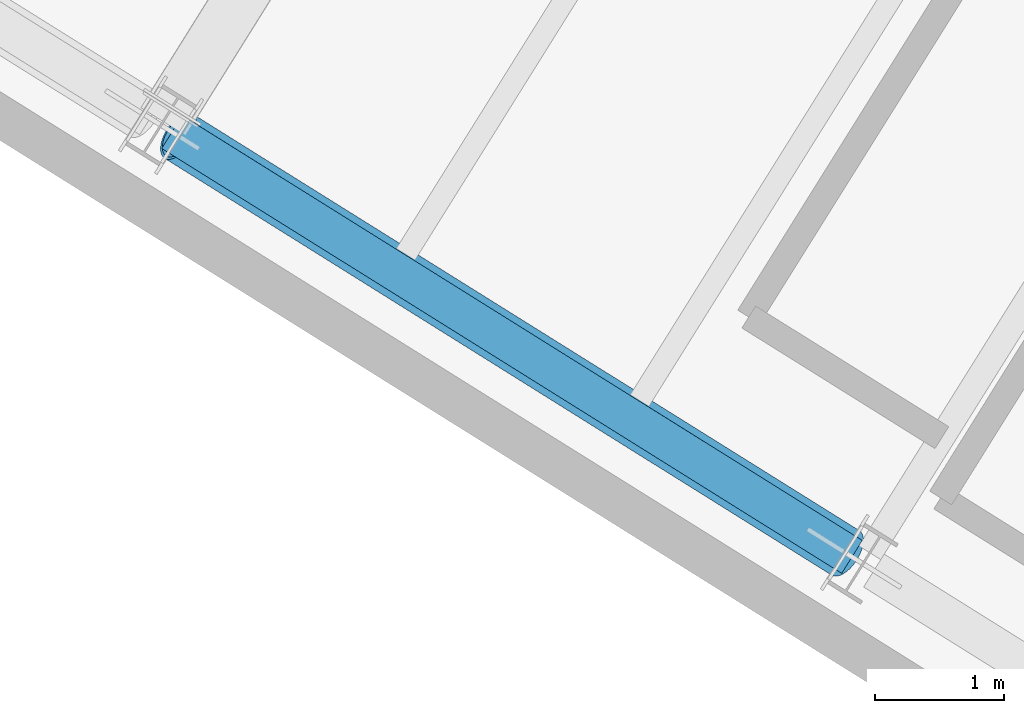
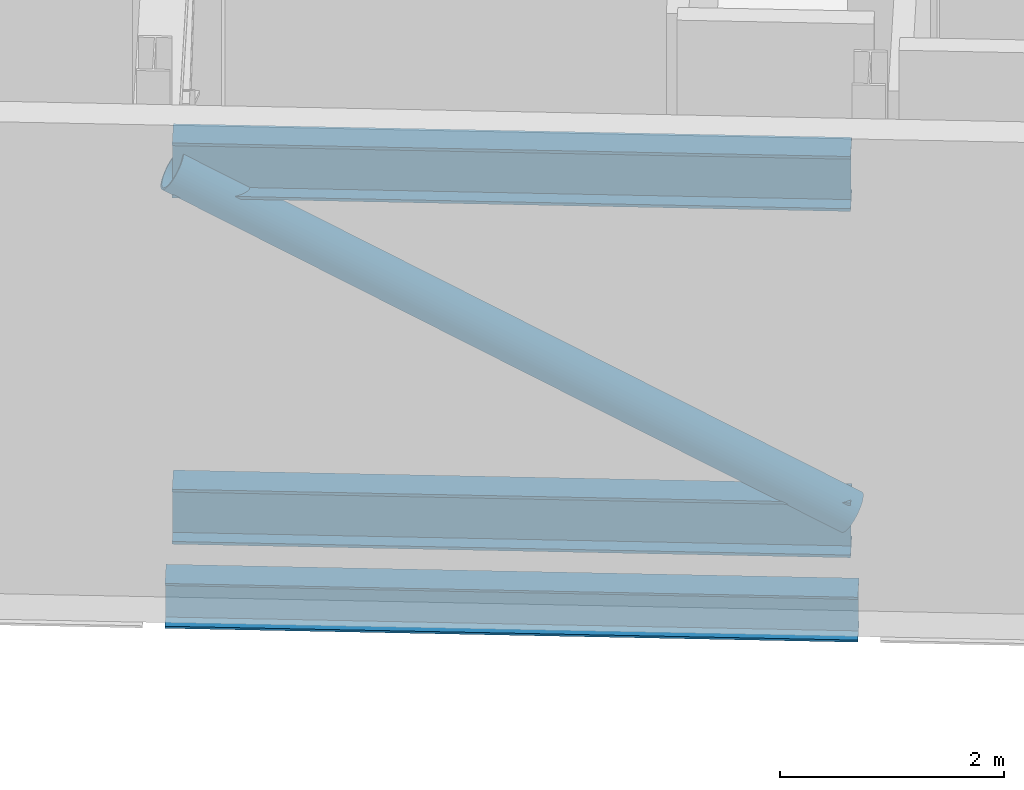
# One storey, part 5 of 30: 3 members, 1 beam.
"""IFC4 building model written with IfcOpenShell, lengths in metres."""

from ifc_helpers import new_model, si_unit, direction, frame, origin, origin_2d, place, context, subcontext, project, spatial, hollow_circle, i_section, extrude, source, transform, mapped, material, material_profile, profile_set, type_object, element, save


model = new_model("IFC4")

# Units and contexts
model_context = context("Model", 3, precision=1e-05, world=origin(), true_north=direction((0.0, 1.0)))
body_context = subcontext(model_context, "Body", "Model", "MODEL_VIEW")
ifc_project = project(units=[si_unit("LENGTHUNIT", "METRE"), si_unit("AREAUNIT", "SQUARE_METRE"), si_unit("VOLUMEUNIT", "CUBIC_METRE"), si_unit("PLANEANGLEUNIT", "RADIAN"), si_unit("MASSUNIT", "GRAM", prefix="KILO")], contexts=[model_context])

# Site, building, storey
site_placement = place(None, origin())
site = spatial("IfcSite", under=ifc_project, at=site_placement, CompositionType="ELEMENT")
building_placement = place(site_placement, origin())
building = spatial("IfcBuilding", under=site, at=building_placement, Name="Tlacorven Tower", CompositionType="ELEMENT")
storey_placement = place(building_placement, frame((0.0, 0.0, 169.5)))
storey = spatial("IfcBuildingStorey", under=building, at=storey_placement, Name="L43", CompositionType="ELEMENT", Elevation=169.5)

# Beam
ifc_material_1 = material(Name="Steel S355J2", Category="steel")
ifc_material_profile_1 = material_profile(ifc_material_1, i_section(OverallWidth=0.300048828125, OverallDepth=0.489990234375, WebThickness=0.011962890625, FlangeThickness=0.02294921875, at=origin_2d()), Name="HEA 500")
ifc_profile_set_1 = profile_set([ifc_material_profile_1], Name="Steel S355J2")
beam_type = type_object("IfcBeamType", Name="BM-SPN-500", PredefinedType="SPANDREL", material=ifc_profile_set_1)
shared_shape_1 = source(origin(), body_context, "Body", "SweptSolid", [
    extrude(i_section(OverallWidth=0.300048828125, OverallDepth=0.489990234375, WebThickness=0.011962890625, FlangeThickness=0.02294921875, at=origin_2d()), origin(), (0.0, 0.0, 1.0), 6.199951171875),
])
beam_placement = place(storey_placement, frame((18.82080078125, 13.6650390625, -0.52490234375), z_axis=(-0.848051394107, 0.529913986372, 0.0), x_axis=(-0.529913986372, -0.848051394107, 0.0)))
element("IfcBeam", 1, at=beam_placement, inside=storey, type_object=beam_type, Name="L43 beam BM-L43-WL4-3", PredefinedType="SPANDREL", context=body_context, shape_type="MappedRepresentation", body=[
    mapped(shared_shape_1, transform((0.0, 0.0, 0.0), scale=1.0)),
])

# Members
ifc_material_2 = material(Name="Steel S460M", Category="steel")
ifc_material_profile_2 = material_profile(ifc_material_2, i_section(OverallWidth=0.300048828125, OverallDepth=0.60009765625, WebThickness=0.015380859375, FlangeThickness=0.030029296875, at=origin_2d()), Name="HEB 600")
ifc_profile_set_2 = profile_set([ifc_material_profile_2], Name="Steel S460M")
member_type_1 = type_object("IfcMemberType", Name="MB-BLT-CHD", PredefinedType="CHORD", material=ifc_profile_set_2)
shared_shape_2 = source(origin(), body_context, "Body", "SweptSolid", [
    extrude(i_section(OverallWidth=0.300048828125, OverallDepth=0.60009765625, WebThickness=0.015380859375, FlangeThickness=0.030029296875, at=origin_2d()), origin(), (0.0, 0.0, 1.0), 6.070068359375),
])
for number, where, z_axis, x_axis, name in (
    (2, (18.765625, 13.699462890625, 0.449951171875), (-0.848054789024, 0.529908553255, 0.0), (-0.529908553255, -0.848054789024, 0.0), "L43 Belt Truss Chord W1-B"),
    (3, (18.765625, 13.699462890625, 4.22998046875), (-0.848054789024, 0.529908553255, 0.0), (-0.529908553255, -0.848054789024, 0.0), "L43 Belt Truss Chord W1-T"),
):
    element("IfcMember", number, at=place(storey_placement, frame(where, z_axis=z_axis, x_axis=x_axis)), inside=storey, type_object=member_type_1, Name=name, PredefinedType="CHORD", context=body_context, shape_type="MappedRepresentation", body=[
        mapped(shared_shape_2, transform((0.0, 0.0, 0.0), scale=1.0)),
    ])
ifc_material_profile_3 = material_profile(ifc_material_2, hollow_circle(Radius=0.203125, WallThickness=0.02001953125, at=origin_2d()), Name="CHS 406.4X20")
ifc_profile_set_3 = profile_set([ifc_material_profile_3], Name="Steel S460M")
member_type_2 = type_object("IfcMemberType", Name="MB-BLT-DIA", PredefinedType="BRACE", material=ifc_profile_set_3)
shared_shape_3 = source(origin(), body_context, "Body", "SweptSolid", [
    extrude(hollow_circle(Radius=0.203125, WallThickness=0.02001953125, at=origin_2d()), origin(), (0.0, 0.0, 1.0), 7.062744140625),
])
member_placement = place(storey_placement, frame((18.7705078125, 13.6962890625, 0.544189453125), z_axis=(-0.730193117358, 0.456284280871, 0.508549571225), x_axis=(-0.529926765559, -0.848043408762, 0.0)))
element("IfcMember", 4, at=member_placement, inside=storey, type_object=member_type_2, Name="L43 Belt Truss Diagonal W1-1", PredefinedType="BRACE", context=body_context, shape_type="MappedRepresentation", body=[
    mapped(shared_shape_3, transform((0.0, 0.0, 0.0), scale=1.0)),
])

save(model, "model.ifc")
